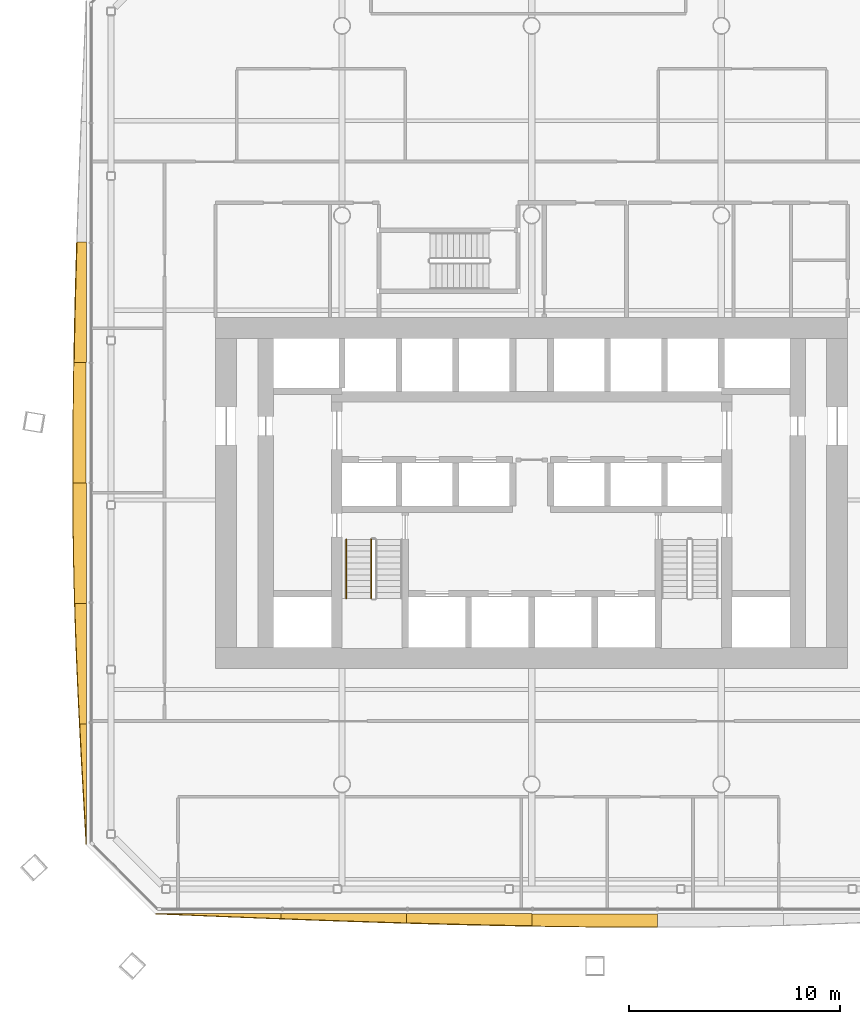
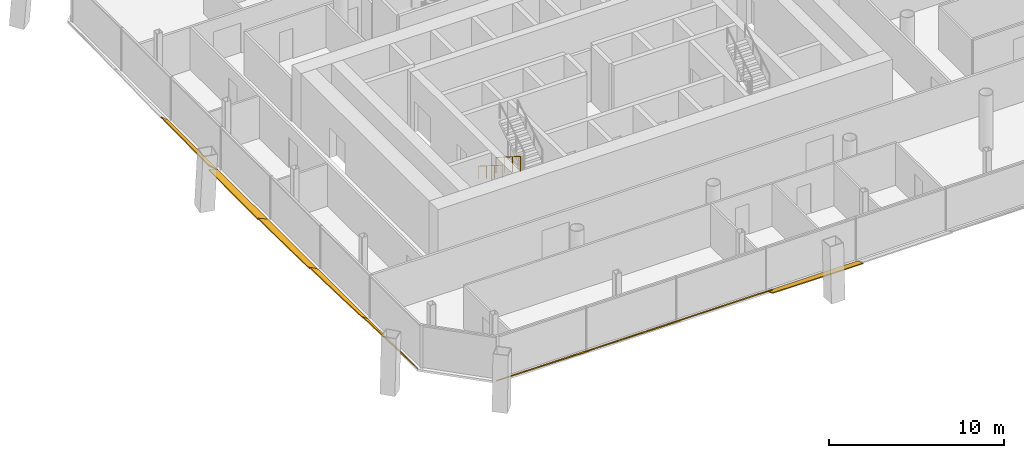
# One storey, part 15 of 19: 9 shading devices, 2 railings.
"""IFC4 building model written with IfcOpenShell, lengths in metres."""

from ifc_helpers import new_model, si_unit, direction, frame, origin, origin_2d, place, context, subcontext, project, spatial, polyline, circle, outline, extrude, material, layer, layer_set, type_object, element, save


model = new_model("IFC4")

# Units and contexts
model_context = context("Model", 3, precision=1e-05, world=origin(), true_north=direction((0.0, 1.0)))
body_context = subcontext(model_context, "Body", "Model", "MODEL_VIEW")
ifc_project = project(units=[si_unit("LENGTHUNIT", "METRE"), si_unit("AREAUNIT", "SQUARE_METRE"), si_unit("VOLUMEUNIT", "CUBIC_METRE"), si_unit("PLANEANGLEUNIT", "RADIAN"), si_unit("MASSUNIT", "GRAM", prefix="KILO")], contexts=[model_context])

# Site, building, storey
site_placement = place(None, origin())
site = spatial("IfcSite", under=ifc_project, at=site_placement, CompositionType="ELEMENT")
building_placement = place(site_placement, origin())
building = spatial("IfcBuilding", under=site, at=building_placement, Name="Tskaro Facet Tower", CompositionType="ELEMENT")
storey_placement = place(building_placement, frame((0.0, 0.0, 105.0)))
storey = spatial("IfcBuildingStorey", under=building, at=storey_placement, Name="L25", CompositionType="ELEMENT", Elevation=105.0)

# Shading devices
ifc_material_1 = material(Name="Bronze anodised aluminium 6063-T6", Category="aluminium")
ifc_layer = layer(ifc_material_1, 0.06005859375, Name="Bronze anodised aluminium 6063-T6")
ifc_layer_set = layer_set([ifc_layer], Name="Bronze anodised aluminium 6063-T6")
shading_device_type = type_object("IfcShadingDeviceType", Name="Bronze sun blade (FN1)", PredefinedType="USERDEFINED", material=ifc_layer_set)
shading_device_1_placement = place(storey_placement, frame((-17.861083984375, -24.135009765625, 0.052001953125), z_axis=(1.06795e-06, 0.499948138736, 0.866055343828), x_axis=(0.999999999999, -5.33919e-07, -9.24904e-07)))
element("IfcShadingDevice", 1, at=shading_device_1_placement, inside=storey, type_object=shading_device_type, Name="Fin blade south 1", ObjectType="FIN", PredefinedType="USERDEFINED", context=body_context, shape_type="SweptSolid", body=[
    extrude(outline(polyline([(0.0, 0.0), (5.960449218746601, 0.0), (5.9604492187543014, -0.27738501004140154), (5.215332031228101, -0.2441352532040369), (4.470214843667005, -0.2103405601297598), (3.7253417968263633, -0.1762123701114971), (2.980224609551632, -0.14141718620526314), (2.2351074217903917, -0.10632118136423421), (1.4902343751057643, -0.0709810612210878), (0.7451171874399789, -0.03555155943607327), (0.0, 0.0)])), origin(), (0.0, 0.0, -1.0), 0.06005859375),
])
shading_device_2_placement = place(storey_placement, frame((-11.900634765625, -24.130615234375, 0.049072265625), z_axis=(1.3659652e-05, 0.573708947643, 0.819059242795), x_axis=(0.999999999907, -7.836664e-06, -1.1188064e-05)))
element("IfcShadingDevice", 2, at=shading_device_2_placement, inside=storey, type_object=shading_device_type, Name="Fin blade south 2", ObjectType="FIN", PredefinedType="USERDEFINED", context=body_context, shape_type="SweptSolid", body=[
    extrude(outline(polyline([(0.0, 0.0), (5.960205077568954, 0.0), (5.960205078162924, -0.5430611713311323), (5.215087889527109, -0.515700130560444), (4.470214844789123, -0.48697896460365414), (3.725097657236088, -0.45717780478288045), (2.979980467492982, -0.42629665109812287), (2.235107420829492, -0.3943954035237891), (1.4899902332642017, -0.36161412772093804), (0.7448730481535502, -0.3278127580285108), (-2.0718685110433175e-09, -0.29341149142968387), (0.0, 0.0)])), origin(), (0.0, 0.0, -1.0), 0.06005859375),
])
shading_device_3_placement = place(storey_placement, frame((-5.9404296875, -24.12646484375, 0.0458984375), z_axis=(-1.5476902e-05, 0.642888658147, 0.765959641879), x_axis=(0.99999999988, 9.949925e-06, 1.1854682e-05)))
element("IfcShadingDevice", 3, at=shading_device_3_placement, inside=storey, type_object=shading_device_type, Name="Fin blade south 3", ObjectType="FIN", PredefinedType="USERDEFINED", context=body_context, shape_type="SweptSolid", body=[
    extrude(outline(polyline([(0.0, 0.0), (5.960205077411163, 0.0), (5.960205079417441, -0.7612557091708225), (5.215332028709627, -0.7444686264065346), (4.470214843269298, -0.7260886667314814), (3.7250976550387973, -0.7056449644291911), (2.980224610896543, -0.6837953870818511), (2.2351074213749937, -0.6604130260775287), (1.489990234851691, -0.6352808329236174), (0.7451171870932444, -0.6087728113515478), (-7.211069061939214e-10, -0.5807019594956045), (0.0, 0.0)])), origin(), (0.0, 0.0, -1.0), 0.06005859375),
])
shading_device_4_placement = place(storey_placement, frame((0.019775390625, -24.14453125, 0.056396484375), z_axis=(-4.45849e-06, 0.341969016311, 0.939711227912), x_axis=(0.99999999999, 1.524666e-06, 4.189694e-06)))
element("IfcShadingDevice", 4, at=shading_device_4_placement, inside=storey, type_object=shading_device_type, Name="Fin blade south 4", ObjectType="FIN", PredefinedType="USERDEFINED", context=body_context, shape_type="SweptSolid", body=[
    extrude(outline(polyline([(0.0, 0.0), (5.9604492186907585, 1.2621742171793511e-21), (5.960449218896864, -0.6752471120118003), (5.215332031219685, -0.6739330265205321), (4.4702148437301545, -0.6710754338514917), (3.725341797425502, -0.6664449123181749), (2.9802246092883924, -0.6604168167642162), (2.2351074217111644, -0.652615792345981), (1.4902343745743487, -0.6435006824364777), (0.7451171873724166, -0.632612643662698), (-1.4100298724811621e-11, -0.6204105193976502), (0.0, 0.0)])), origin(), (0.0, 0.0, -1.0), 0.06005859375),
])
shading_device_5_placement = place(storey_placement, frame((-21.12646484375, 7.74462890625, 0.0458984375), z_axis=(0.64283992916, -4.721805e-06, 0.766000538809), x_axis=(-3.035365e-06, -0.999999999989, -3.616905e-06)))
element("IfcShadingDevice", 5, at=shading_device_5_placement, inside=storey, type_object=shading_device_type, Name="Fin blade west 3", ObjectType="FIN", PredefinedType="USERDEFINED", context=body_context, shape_type="SweptSolid", body=[
    extrude(outline(polyline([(0.0, 0.0), (5.720947265561225, 0.0), (5.720947265523857, -0.7652562868584261), (5.005859375225397, -0.748626163591372), (4.290771484753792, -0.7304332077045047), (3.5756835942510197, -0.7103334640054451), (2.860595702834046, -0.6884838758362751), (2.145263672243019, -0.6651015235555072), (1.4301757804797548, -0.6401262701467108), (0.7150878901674343, -0.6136182526263163), (-3.1803129952810503e-10, -0.5855474024861088), (0.0, 0.0)])), origin(), (0.0, 0.0, -1.0), 0.06005859375),
])
shading_device_6_placement = place(storey_placement, frame((-21.14453125, 2.023681640625, 0.056396484375), z_axis=(0.34206704212, -9.286699e-06, 0.93967554965), x_axis=(-3.176674e-06, -0.999999999957, -8.726484e-06)))
element("IfcShadingDevice", 6, at=shading_device_6_placement, inside=storey, type_object=shading_device_type, Name="Fin blade west 4", ObjectType="FIN", PredefinedType="USERDEFINED", context=body_context, shape_type="SweptSolid", body=[
    extrude(outline(polyline([(0.0, 0.0), (5.721191406003294, 0.0), (5.721191407003699, -0.6754765261360951), (5.006103516213359, -0.6747047747466408), (4.291015624255111, -0.6721601076022794), (3.5759277340350013, -0.6679884252175509), (2.8605957027975486, -0.6622732400539136), (2.1455078117927346, -0.6550145521113679), (1.4304199225260572, -0.646128848928455), (0.7153320307365387, -0.6357831554280922), (6.016796162849676e-11, -0.6238104466873622), (0.0, 0.0)])), origin(), (0.0, 0.0, -1.0), 0.06005859375),
])
shading_device_7_placement = place(storey_placement, frame((-21.1396484375, -3.697509765625, 0.054443359375), z_axis=(0.422516816088, 5.264631e-06, 0.906355084995), x_axis=(2.224395e-06, -0.999999999986, 4.771625e-06)))
element("IfcShadingDevice", 7, at=shading_device_7_placement, inside=storey, type_object=shading_device_type, Name="Fin blade west 5", ObjectType="FIN", PredefinedType="USERDEFINED", context=body_context, shape_type="SweptSolid", body=[
    extrude(outline(polyline([(0.0, 0.0), (5.721191406170715, -2.4230188093209563e-21), (5.7211914064615685, -0.6071751795215459), (5.00610351550432, -0.6286941074990915), (4.291015625317933, -0.6475876404291653), (3.5756835934905817, -0.6634281931757333), (2.860595702516024, -0.676864628971755), (2.145507812233511, -0.6871299600068997), (1.4304199220999776, -0.6944454643780928), (0.7150878909473624, -0.69903242018226), (0.02294921869652306, -0.7003451177059958), (-5.3158907156958474e-11, -0.7003451177059958), (0.0, 0.0)])), origin(), (0.0, 0.0, -1.0), 0.06005859375),
])
shading_device_8_placement = place(storey_placement, frame((-21.135009765625, -9.418701171875, 0.052001953125), z_axis=(0.499954299197, -3.667515e-06, 0.86605178754), x_axis=(-1.83359e-06, -0.999999999993, -3.176258e-06)))
element("IfcShadingDevice", 8, at=shading_device_8_placement, inside=storey, type_object=shading_device_type, Name="Fin blade west 6", ObjectType="FIN", PredefinedType="USERDEFINED", context=body_context, shape_type="SweptSolid", body=[
    extrude(outline(polyline([(0.0, 0.0), (5.721191406211523, -1.2115094046604782e-21), (5.721191406691099, -0.3669592544150275), (5.00610351539495, -0.40765935659750047), (4.290771484337349, -0.44681403003619163), (3.575683593425331, -0.48378895945701983), (2.8605957032570037, -0.5186735241296004), (2.145507812281461, -0.5517118423640902), (1.4304199219297558, -0.5821148598458666), (0.7150878908014363, -0.6100046357300081), (1.4649894980399742e-10, -0.6353811700165145), (0.0, 0.0)])), origin(), (0.0, 0.0, -1.0), 0.06005859375),
])
shading_device_9_placement = place(storey_placement, frame((-21.130615234375, -15.139892578125, 0.049072265625), z_axis=(0.573921422638, -7.269373e-06, 0.818910373963), x_axis=(-4.172049e-06, -0.999999999974, -5.952965e-06)))
element("IfcShadingDevice", 9, at=shading_device_9_placement, inside=storey, type_object=shading_device_type, Name="Fin blade west 7", ObjectType="FIN", PredefinedType="USERDEFINED", context=body_context, shape_type="SweptSolid", body=[
    extrude(outline(polyline([(0.0, 0.0), (5.721191406098836, 2.4230188093209563e-21), (5.005859373620792, -0.050802083568305484), (4.290771484674463, -0.1013239320669562), (3.575683593691, -0.1514459219845596), (2.860595703577126, -0.200887818251461), (2.1455078133142726, -0.24944969157713665), (1.4301757812588807, -0.29693161267106294), (0.7150878901142975, -0.3431934639984126), (-3.096763677223837e-10, -0.3878951987338344), (0.0, 0.0)])), origin(), (0.0, 0.0, -1.0), 0.06005859375),
])

# Railings
ifc_material_2 = material(Name="Stainless steel", Category="steel")
railing_type_1 = type_object("IfcRailingType", Name="RL-GUARD-1100", PredefinedType="GUARDRAIL", material=ifc_material_2)
railing_1_placement = place(storey_placement, frame((-7.625, -6.375, 0.17724609375)))
element("IfcRailing", 10, at=railing_1_placement, inside=storey, type_object=railing_type_1, Name="L25 ST-1 stair guard 1", PredefinedType="GUARDRAIL", context=body_context, shape_type="SweptSolid", body=[
    extrude(circle(Radius=0.02392578125, at=origin_2d()), frame((0.0, 0.0, 1.076171875), z_axis=(0.0, -0.844908973607, 0.534910110503), x_axis=(1.0, 0.0, 0.0)), (0.0, 0.0, 1.0), 3.31396484375),
    extrude(circle(Radius=0.02099609375, at=origin_2d()), origin(), (0.0, 0.0, 1.0), 1.052001953125),
    extrude(circle(Radius=0.02099609375, at=origin_2d()), frame((0.0, -0.933349609375, 0.5908203125)), (0.0, 0.0, 1.0), 1.052001953125),
    extrude(circle(Radius=0.02099609375, at=origin_2d()), frame((0.0, -1.86669921875, 1.181884765625)), (0.0, 0.0, 1.0), 1.052001953125),
    extrude(circle(Radius=0.02099609375, at=origin_2d()), frame((0.0, -2.800048828125, 1.772705078125)), (0.0, 0.0, 1.0), 1.052001953125),
])
railing_type_2 = type_object("IfcRailingType", Name="RL-HANDRAIL-900", PredefinedType="HANDRAIL", material=ifc_material_2)
railing_2_placement = place(storey_placement, frame((-8.800048828125, -6.375, 0.17724609375)))
element("IfcRailing", 11, at=railing_2_placement, inside=storey, type_object=railing_type_2, Name="L25 ST-1 stair handrail 1", PredefinedType="HANDRAIL", context=body_context, shape_type="SweptSolid", body=[
    extrude(circle(Radius=0.02392578125, at=origin_2d()), frame((0.0, 0.0, 0.8759765625), z_axis=(0.0, -0.844908973607, 0.534910110503), x_axis=(1.0, 0.0, 0.0)), (0.0, 0.0, 1.0), 3.31396484375),
    extrude(circle(Radius=0.02099609375, at=origin_2d()), origin(), (0.0, 0.0, 1.0), 0.851806640625),
    extrude(circle(Radius=0.02099609375, at=origin_2d()), frame((0.0, -0.933349609375, 0.5908203125)), (0.0, 0.0, 1.0), 0.851806640625),
    extrude(circle(Radius=0.02099609375, at=origin_2d()), frame((0.0, -1.86669921875, 1.181884765625)), (0.0, 0.0, 1.0), 0.851806640625),
    extrude(circle(Radius=0.02099609375, at=origin_2d()), frame((0.0, -2.800048828125, 1.772705078125)), (0.0, 0.0, 1.0), 0.851806640625),
])

save(model, "model.ifc")
